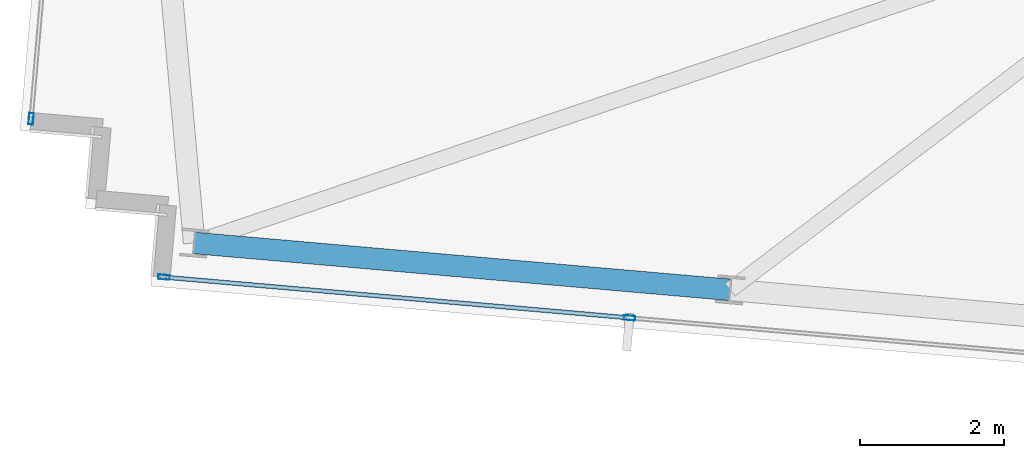
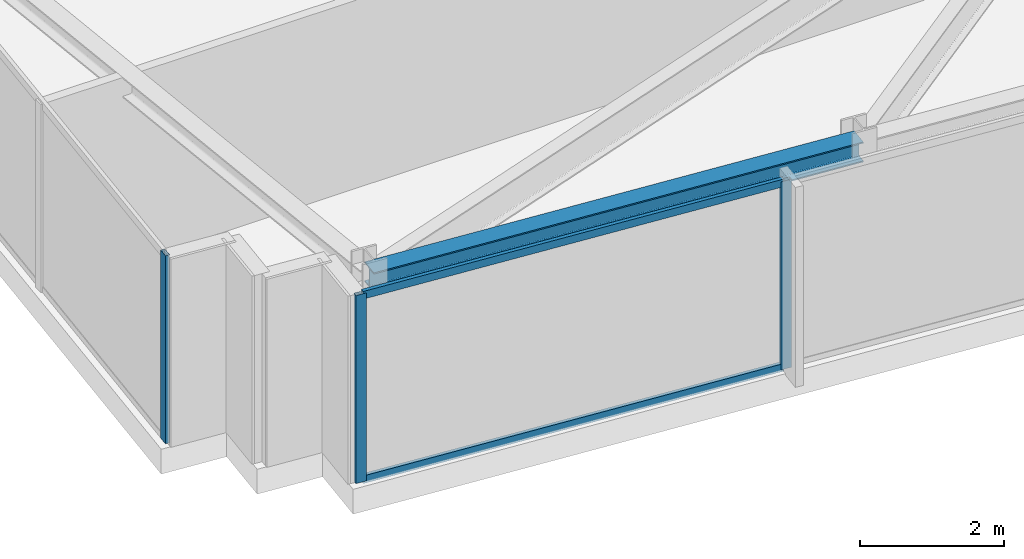
# One storey, part 2 of 32: 5 members, 1 beam, 2 elements without a shape of their own.
"""IFC4 building model written with IfcOpenShell, lengths in metres."""

from ifc_helpers import new_model, si_unit, direction, frame, origin, origin_2d, place, context, subcontext, project, spatial, hollow_rectangle, i_section, extrude, material, material_profile, profile_set, type_object, element, aggregate, save


model = new_model("IFC4")

# Units and contexts
model_context = context("Model", 3, precision=1e-05, world=origin(), true_north=direction((0.0, 1.0)))
body_context = subcontext(model_context, "Body", "Model", "MODEL_VIEW")
ifc_project = project(units=[si_unit("LENGTHUNIT", "METRE"), si_unit("AREAUNIT", "SQUARE_METRE"), si_unit("VOLUMEUNIT", "CUBIC_METRE"), si_unit("PLANEANGLEUNIT", "RADIAN"), si_unit("MASSUNIT", "GRAM", prefix="KILO")], contexts=[model_context])

# Site, building, storey
site_placement = place(None, origin())
site = spatial("IfcSite", under=ifc_project, at=site_placement, CompositionType="ELEMENT")
building_placement = place(site_placement, origin())
building = spatial("IfcBuilding", under=site, at=building_placement, Name="Yelkora Congress Tower", CompositionType="ELEMENT")
storey_placement = place(building_placement, frame((0.0, 0.0, 259.10009765625)))
storey = spatial("IfcBuildingStorey", under=building, at=storey_placement, Name="L72", CompositionType="ELEMENT", Elevation=259.10009765625)

# Beam
ifc_material_1 = material(Name="Steel S355J2", Category="steel")
ifc_material_profile_1 = material_profile(ifc_material_1, i_section(OverallWidth=0.300048828125, OverallDepth=0.340087890625, WebThickness=0.011962890625, FlangeThickness=0.021484375, FilletRadius=0.027099609375, at=origin_2d()), Name="HEB 340")
ifc_profile_set_1 = profile_set([ifc_material_profile_1], Name="Steel S355J2")
beam_type = type_object("IfcBeamType", Name="BM-SPAN-HEB340", PredefinedType="SPANDREL", material=ifc_profile_set_1)
beam_placement = place(storey_placement, frame((7.998046875, 20.097900390625, 3.010009765625), z_axis=(0.996193186297, -0.08717302092, 0.0), x_axis=(0.08717302092, 0.996193186297, 0.0)))
element("IfcBeam", 1, at=beam_placement, inside=storey, type_object=beam_type, Name="L72 Perimeter Beam 1", PredefinedType="SPANDREL", context=body_context, shape_type="SweptSolid", body=[
    extrude(i_section(OverallWidth=0.300048828125, OverallDepth=0.340087890625, WebThickness=0.011962890625, FlangeThickness=0.021484375, FilletRadius=0.027099609375, at=origin_2d()), origin(), (0.0, 0.0, 1.0), 7.4833984375),
])

# Curtain wall, member
ifc_material_2 = material(Name="Anodised aluminium and insulated glass", Category="aluminium")
curtain_wall_type = type_object("IfcCurtainWallType", Name="CW-SYS-B5", PredefinedType="NOTDEFINED", material=ifc_material_2)
curtain_wall_1_placement = place(storey_placement, origin())
curtain_wall_1 = element("IfcCurtainWall", 2, at=curtain_wall_1_placement, inside=storey, type_object=curtain_wall_type, Name="L72 Unitised Curtain Wall 5", PredefinedType="NOTDEFINED")
ifc_material_3 = material(Name="Anodised aluminium 6063-T6", Category="aluminium")
ifc_material_profile_2 = material_profile(ifc_material_3, hollow_rectangle(XDim=0.06494140625, YDim=0.159912109375, WallThickness=0.00390625, at=origin_2d()), Name="ALU 65x160x4")
ifc_profile_set_2 = profile_set([ifc_material_profile_2], Name="Anodised aluminium 6063-T6")
member_type_1 = type_object("IfcMemberType", Name="MEM-ML-B5", PredefinedType="MULLION", material=ifc_profile_set_2)
member_1_placement = place(storey_placement, frame((5.72998046875, 21.824462890625, 0.0), z_axis=(0.0, 0.0, 1.0), x_axis=(-0.996194785929, 0.08715473876, 0.0)))
member_1 = element("IfcMember", 3, at=member_1_placement, type_object=member_type_1, Name="CW-B5 mullion 1", PredefinedType="MULLION", context=body_context, shape_type="SweptSolid", body=[
    extrude(hollow_rectangle(XDim=0.06494140625, YDim=0.159912109375, WallThickness=0.00390625, at=origin_2d()), origin(), (0.0, 0.0, 1.0), 3.179931640625),
])
aggregate(curtain_wall_1, [member_1])

# Curtain wall, members
curtain_wall_2_placement = place(storey_placement, origin())
curtain_wall_2 = element("IfcCurtainWall", 4, at=curtain_wall_2_placement, inside=storey, type_object=curtain_wall_type, Name="L72 Unitised Curtain Wall 20", PredefinedType="NOTDEFINED")
member_2_placement = place(storey_placement, frame((14.0517578125, 19.05615234375, 0.0), z_axis=(0.0, 0.0, 1.0), x_axis=(-0.087156829793, -0.996194602987, 0.0)))
member_2 = element("IfcMember", 5, at=member_2_placement, type_object=member_type_1, Name="CW-B5 mullion 7", PredefinedType="MULLION", context=body_context, shape_type="SweptSolid", body=[
    extrude(hollow_rectangle(XDim=0.06494140625, YDim=0.159912109375, WallThickness=0.00390625, at=origin_2d()), origin(), (0.0, 0.0, 1.0), 3.179931640625),
])
member_3_placement = place(storey_placement, frame((7.57763671875, 19.62255859375, 0.0), z_axis=(0.0, 0.0, 1.0), x_axis=(-0.087156829793, -0.996194602987, 0.0)))
member_3 = element("IfcMember", 6, at=member_3_placement, type_object=member_type_1, Name="CW-B5 mullion 8", PredefinedType="MULLION", context=body_context, shape_type="SweptSolid", body=[
    extrude(hollow_rectangle(XDim=0.06494140625, YDim=0.159912109375, WallThickness=0.00390625, at=origin_2d()), origin(), (0.0, 0.0, 1.0), 3.179931640625),
])
ifc_material_profile_3 = material_profile(ifc_material_3, hollow_rectangle(XDim=0.06005859375, YDim=0.1298828125, WallThickness=0.00390625, at=origin_2d()), Name="ALU 60x130x4")
ifc_profile_set_3 = profile_set([ifc_material_profile_3], Name="Anodised aluminium 6063-T6")
member_type_2 = type_object("IfcMemberType", Name="MEM-TR-B5", PredefinedType="USERDEFINED", material=ifc_profile_set_3)
member_4_placement = place(storey_placement, frame((14.019287109375, 19.05908203125, 0.02978515625), z_axis=(-0.996194170551, 0.08716177236, 0.0), x_axis=(-0.08716177236, -0.996194170551, 0.0)))
member_4 = element("IfcMember", 7, at=member_4_placement, type_object=member_type_2, Name="CW-B5 transom 7.1", ObjectType="TRANSOM", PredefinedType="USERDEFINED", context=body_context, shape_type="SweptSolid", body=[
    extrude(hollow_rectangle(XDim=0.06005859375, YDim=0.1298828125, WallThickness=0.00390625, at=origin_2d()), origin(), (0.0, 0.0, 1.0), 6.433837890625),
])
member_5_placement = place(storey_placement, frame((14.019287109375, 19.05908203125, 3.14990234375), z_axis=(-0.996194170551, 0.08716177236, 0.0), x_axis=(-0.08716177236, -0.996194170551, 0.0)))
member_5 = element("IfcMember", 8, at=member_5_placement, type_object=member_type_2, Name="CW-B5 transom 7.2", ObjectType="TRANSOM", PredefinedType="USERDEFINED", context=body_context, shape_type="SweptSolid", body=[
    extrude(hollow_rectangle(XDim=0.06005859375, YDim=0.1298828125, WallThickness=0.00390625, at=origin_2d()), origin(), (0.0, 0.0, 1.0), 6.433837890625),
])
aggregate(curtain_wall_2, [member_2, member_3, member_4, member_5])

save(model, "model.ifc")
